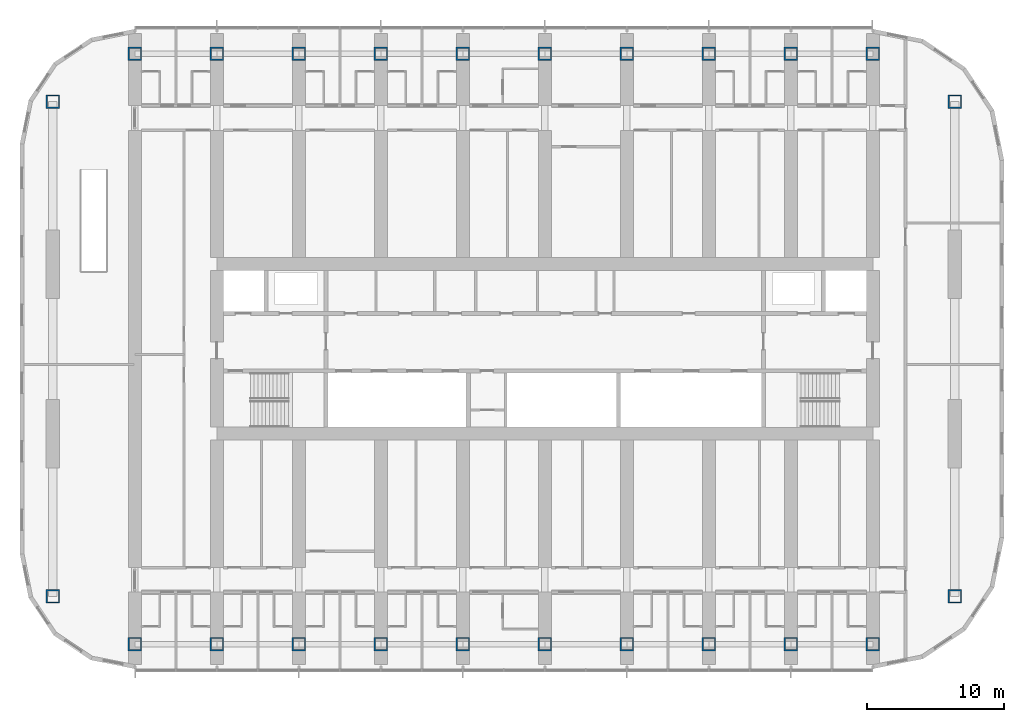
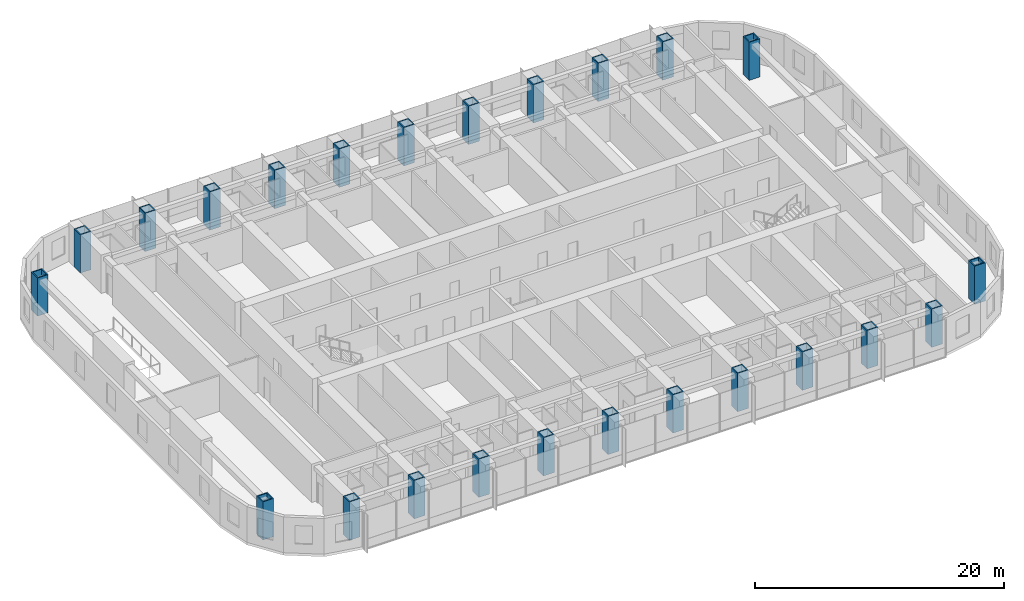
# One storey, part 1 of 21: 24 columns.
"""IFC4 building model written with IfcOpenShell, lengths in metres."""

from ifc_helpers import new_model, si_unit, direction, frame, origin, origin_2d, place, context, subcontext, project, spatial, hollow_rectangle, extrude, material, material_profile, profile_set, type_object, element, save


model = new_model("IFC4")

# Units and contexts
model_context = context("Model", 3, precision=1e-05, world=origin(), true_north=direction((0.0, 1.0)))
body_context = subcontext(model_context, "Body", "Model", "MODEL_VIEW")
ifc_project = project(units=[si_unit("LENGTHUNIT", "METRE"), si_unit("AREAUNIT", "SQUARE_METRE"), si_unit("VOLUMEUNIT", "CUBIC_METRE"), si_unit("PLANEANGLEUNIT", "RADIAN"), si_unit("MASSUNIT", "GRAM", prefix="KILO")], contexts=[model_context])

# Site, building, storey
site_placement = place(None, origin())
site = spatial("IfcSite", under=ifc_project, at=site_placement, CompositionType="ELEMENT")
building_placement = place(site_placement, origin())
building = spatial("IfcBuilding", under=site, at=building_placement, Name="Orbita Commons", CompositionType="ELEMENT")
storey_placement = place(building_placement, frame((0.0, 0.0, 88.14990234375)))
storey = spatial("IfcBuildingStorey", under=building, at=storey_placement, Name="L21", CompositionType="ELEMENT", Elevation=88.14990234375)

# Columns
ifc_material = material(Name="Steel ASTM A572 Gr 50 welded plate", Category="steel")
ifc_material_profile = material_profile(ifc_material, hollow_rectangle(XDim=1.0, YDim=1.0, WallThickness=0.10009765625, at=origin_2d()), Name="BOX 1000x1000x100")
ifc_profile_set = profile_set([ifc_material_profile], Name="Steel ASTM A572 Gr 50 welded plate")
column_type = type_object("IfcColumnType", Name="Steel column BOX 1000x1000x100", PredefinedType="COLUMN", material=ifc_profile_set)
for number, where, z_axis, x_axis, name in (
    (1, (12.0, 10.39990234375, 0.0), (0.0, 0.0, 1.0), (1.0, 0.0, 0.0), "Column 3/B L21"),
    (2, (12.0, 53.60009765625, 0.0), (0.0, 0.0, 1.0), (1.0, 0.0, 0.0), "Column 3/E L21"),
    (3, (18.0, 10.39990234375, 0.0), (0.0, 0.0, 1.0), (1.0, 0.0, 0.0), "Column 4/B L21"),
    (4, (18.0, 53.60009765625, 0.0), (0.0, 0.0, 1.0), (1.0, 0.0, 0.0), "Column 4/E L21"),
    (5, (24.0, 10.39990234375, 0.0), (0.0, 0.0, 1.0), (1.0, 0.0, 0.0), "Column 5/B L21"),
    (6, (24.0, 53.60009765625, 0.0), (0.0, 0.0, 1.0), (1.0, 0.0, 0.0), "Column 5/E L21"),
    (7, (30.0, 10.39990234375, 0.0), (0.0, 0.0, 1.0), (1.0, 0.0, 0.0), "Column 6/B L21"),
    (8, (30.0, 53.60009765625, 0.0), (0.0, 0.0, 1.0), (1.0, 0.0, 0.0), "Column 6/E L21"),
    (9, (36.0, 10.39990234375, 0.0), (0.0, 0.0, 1.0), (1.0, 0.0, 0.0), "Column 7/B L21"),
    (10, (36.0, 53.60009765625, 0.0), (0.0, 0.0, 1.0), (1.0, 0.0, 0.0), "Column 7/E L21"),
    (11, (42.0, 10.39990234375, 0.0), (0.0, 0.0, 1.0), (1.0, 0.0, 0.0), "Column 8/B L21"),
    (12, (42.0, 53.60009765625, 0.0), (0.0, 0.0, 1.0), (1.0, 0.0, 0.0), "Column 8/E L21"),
    (13, (48.0, 10.39990234375, 0.0), (0.0, 0.0, 1.0), (1.0, 0.0, 0.0), "Column 9/B L21"),
    (14, (48.0, 53.60009765625, 0.0), (0.0, 0.0, 1.0), (1.0, 0.0, 0.0), "Column 9/E L21"),
    (15, (54.0, 10.39990234375, 0.0), (0.0, 0.0, 1.0), (1.0, 0.0, 0.0), "Column 10/B L21"),
    (16, (54.0, 53.60009765625, 0.0), (0.0, 0.0, 1.0), (1.0, 0.0, 0.0), "Column 10/E L21"),
    (17, (60.0, 10.39990234375, 0.0), (0.0, 0.0, 1.0), (1.0, 0.0, 0.0), "Column 11/B L21"),
    (18, (60.0, 53.60009765625, 0.0), (0.0, 0.0, 1.0), (1.0, 0.0, 0.0), "Column 11/E L21"),
    (19, (66.0, 10.39990234375, 0.0), (0.0, 0.0, 1.0), (1.0, 0.0, 0.0), "Column 12/B L21"),
    (20, (66.0, 53.60009765625, 0.0), (0.0, 0.0, 1.0), (1.0, 0.0, 0.0), "Column 12/E L21"),
    (21, (6.0, 13.89990234375, 0.0), (0.0, 0.0, 1.0), (1.0, 0.0, 0.0), "Column 2/13.9 L21"),
    (22, (6.0, 50.10009765625, 0.0), (0.0, 0.0, 1.0), (1.0, 0.0, 0.0), "Column 2/50.1 L21"),
    (23, (72.0, 13.89990234375, 0.0), (0.0, 0.0, 1.0), (1.0, 0.0, 0.0), "Column 13/13.9 L21"),
    (24, (72.0, 50.10009765625, 0.0), (0.0, 0.0, 1.0), (1.0, 0.0, 0.0), "Column 13/50.1 L21"),
):
    element("IfcColumn", number, at=place(storey_placement, frame(where, z_axis=z_axis, x_axis=x_axis)), inside=storey, type_object=column_type, Name=name, PredefinedType="COLUMN", context=body_context, shape_type="SweptSolid", body=[
        extrude(hollow_rectangle(XDim=1.0, YDim=1.0, WallThickness=0.10009765625, at=origin_2d()), origin(), (0.0, 0.0, 1.0), 3.75),
    ])

save(model, "model.ifc")
